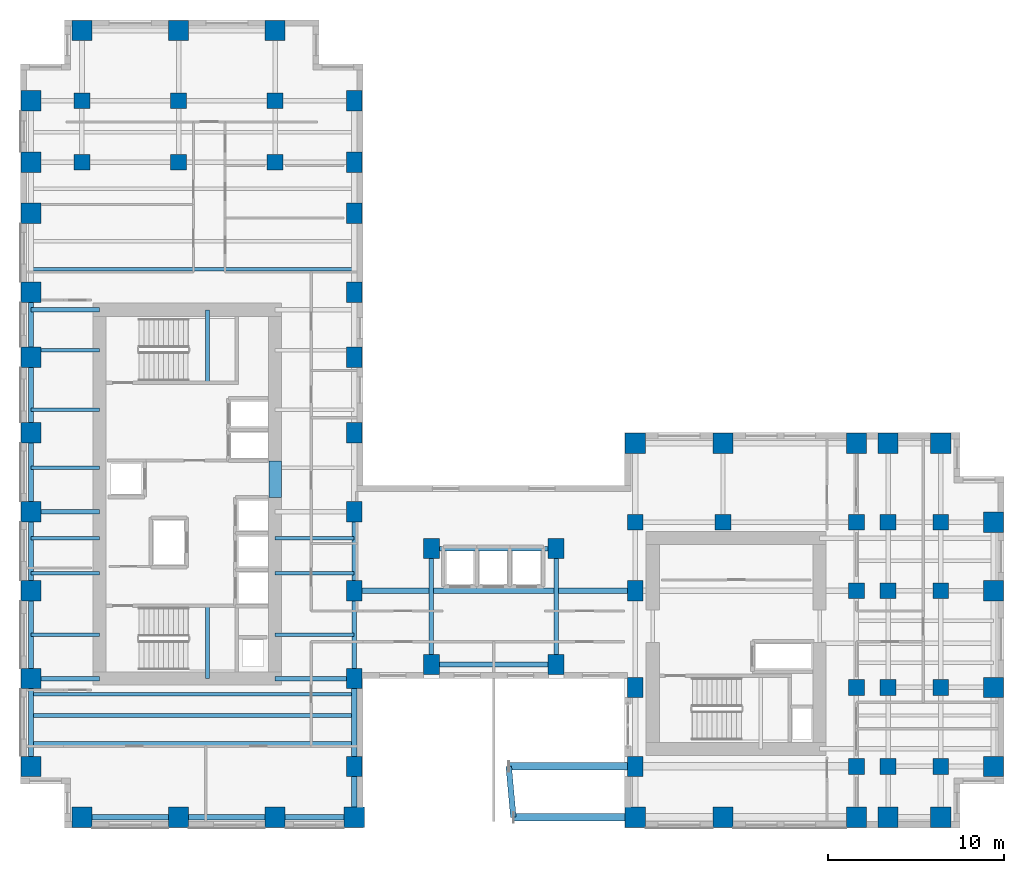
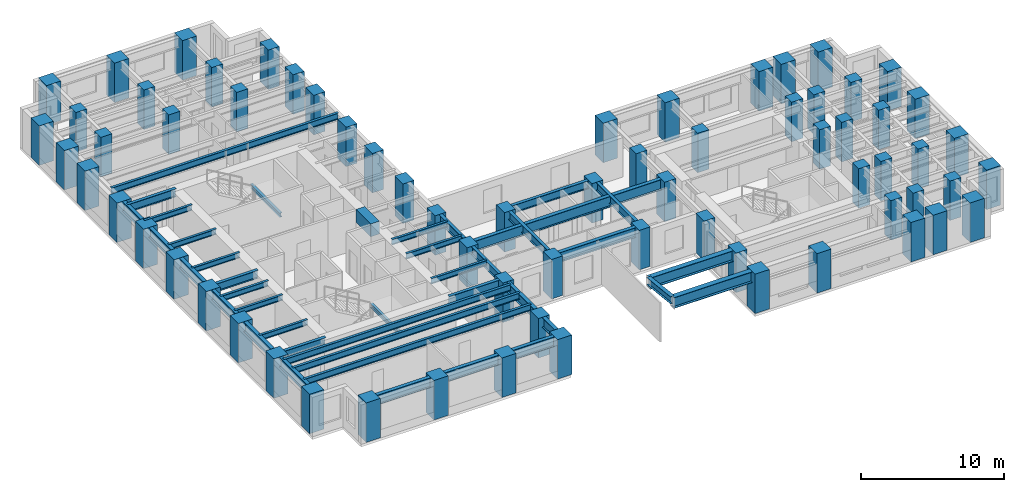
# One storey, part 1 of 14: 68 columns, 41 beams.
"""IFC4 building model written with IfcOpenShell, lengths in metres."""

import ifcopenshell
import ifcopenshell.guid

model = None  # the IFC model being written
_history = None  # IfcOwnerHistory: only IFC2X3 demands one
_inside = {}  # id of a spatial element -> (the spatial element, [elements in it])
_under = {}  # id of a project, library or spatial element -> (it, [spatial elements below it])
_declared = {}  # id of a project -> (the project, [libraries it declares])
_typed = {}  # id of a type object -> (the type object, [elements of that type])
_made_of = {}  # id of a material, layer set ... -> (it, [elements and type objects made of it])


def new_model(schema):
    """Start an empty IFC model of exactly this schema.

    Asked for "IFC4X3", IfcOpenShell would pick the latest addendum, in which some entities
    have other attributes; the version numbers below select the first issue.
    IFC2X3 requires an IfcOwnerHistory on every rooted entity: one is made here for all.
    """
    global model, _history
    if schema == "IFC4X3":
        model = ifcopenshell.file(schema_version=(4, 3, 0, 0))
    else:
        model = ifcopenshell.file(schema=schema)
    _inside.clear()
    _under.clear()
    _declared.clear()
    _typed.clear()
    _made_of.clear()
    _history = None
    if model.schema == "IFC2X3":
        org = make("IfcOrganization", Name="unknown")
        user = make(
            "IfcPersonAndOrganization",
            ThePerson=make("IfcPerson", FamilyName="unknown"),
            TheOrganization=org,
        )
        app = make(
            "IfcApplication",
            ApplicationDeveloper=org,
            Version="unknown",
            ApplicationFullName="unknown",
            ApplicationIdentifier="unknown",
        )
        _history = make(
            "IfcOwnerHistory",
            OwningUser=user,
            OwningApplication=app,
            ChangeAction="ADDED",
            CreationDate=0,
        )
    return model


def make(cls, **values):
    """One entity of the class cls with the attributes given. An attribute that is None is left unset."""
    return model.create_entity(
        cls, **{name: value for name, value in values.items() if value is not None}
    )


def rooted(cls, **values):
    """An entity with a GlobalId (a new one), such as an element, a storey or a relation."""
    return make(cls, GlobalId=ifcopenshell.guid.new(), OwnerHistory=_history, **values)


def si_unit(unit_type, name, prefix=None):
    """IfcSIUnit, for example si_unit("LENGTHUNIT", "METRE", prefix="MILLI")."""
    return make("IfcSIUnit", UnitType=unit_type, Prefix=prefix, Name=name)


def assignment(units):
    """IfcUnitAssignment: the units of a project."""
    return None if units is None else make("IfcUnitAssignment", Units=units)


def point(xyz):
    """IfcCartesianPoint."""
    return None if xyz is None else make("IfcCartesianPoint", Coordinates=xyz)


def direction(xyz):
    """IfcDirection."""
    return None if xyz is None else make("IfcDirection", DirectionRatios=xyz)


def frame(location, z_axis=None, x_axis=None):
    """IfcAxis2Placement3D, a coordinate frame: its origin and axes. An axis left out is left unset."""
    return make(
        "IfcAxis2Placement3D",
        Location=point(location),
        Axis=direction(z_axis),
        RefDirection=direction(x_axis),
    )


def frame_2d(location, x_axis=None):
    """IfcAxis2Placement2D, a coordinate frame in the plane: its origin and x axis."""
    return make(
        "IfcAxis2Placement2D", Location=point(location), RefDirection=direction(x_axis)
    )


def origin():
    """The frame at (0, 0, 0) with its axes left unset."""
    return frame((0.0, 0.0, 0.0))


def origin_2d():
    """The frame at (0, 0) in the plane with its x axis left unset."""
    return frame_2d((0.0, 0.0))


def place(relative_to, where):
    """IfcLocalPlacement: puts the frame where relative to a parent placement (None: the world)."""
    return make(
        "IfcLocalPlacement", PlacementRelTo=relative_to, RelativePlacement=where
    )


def context(
    kind, dimensions, precision=None, world=None, true_north=None, identifier=None
):
    """IfcGeometricRepresentationContext, for example the 3D "Model" context."""
    return make(
        "IfcGeometricRepresentationContext",
        ContextIdentifier=identifier,
        ContextType=kind,
        CoordinateSpaceDimension=dimensions,
        Precision=precision,
        WorldCoordinateSystem=world,
        TrueNorth=true_north,
    )


def subcontext(parent, identifier, kind, view, scale=None):
    """IfcGeometricRepresentationSubContext, for example "Body" below "Model"."""
    return make(
        "IfcGeometricRepresentationSubContext",
        ContextIdentifier=identifier,
        ContextType=kind,
        ParentContext=parent,
        TargetScale=scale,
        TargetView=view,
    )


def project(units=None, contexts=None):
    """IfcProject with its units and contexts."""
    return rooted(
        "IfcProject",
        Name="project",
        RepresentationContexts=contexts,
        UnitsInContext=assignment(units),
    )


def spatial(cls, under=None, at=None, **own):
    """A site, building, storey or space (cls), placed at a placement, below another one or the project."""
    s = rooted(cls, ObjectPlacement=at, **own)
    if under is not None:
        _under.setdefault(under.id(), (under, []))[1].append(s)
    return s


def profile(cls, at=None, kind="AREA", **sizes):
    """A parametric profile (cls). Its sizes go by their IFC names, for example OverallWidth=200.0."""
    return make(cls, ProfileType=kind, Position=at, **sizes)


def rectangle(**sizes):
    """IfcRectangleProfileDef."""
    return profile("IfcRectangleProfileDef", **sizes)


def i_section(**sizes):
    """IfcIShapeProfileDef."""
    return profile("IfcIShapeProfileDef", **sizes)


def extrude(swept, where, along, depth):
    """IfcExtrudedAreaSolid: the profile swept, set in the frame where, extruded along a direction by depth."""
    return make(
        "IfcExtrudedAreaSolid",
        SweptArea=swept,
        Position=where,
        ExtrudedDirection=direction(along),
        Depth=depth,
    )


def shape(context_of_items, identifier, shape_type, items):
    """IfcShapeRepresentation: the items that make up one representation, for example the "Body"."""
    return make(
        "IfcShapeRepresentation",
        ContextOfItems=context_of_items,
        RepresentationIdentifier=identifier,
        RepresentationType=shape_type,
        Items=items,
    )


def source(mapping_origin, context_of_items, identifier, shape_type, items):
    """IfcRepresentationMap: a shape defined once, which mapped items show again and again."""
    return make(
        "IfcRepresentationMap",
        MappingOrigin=mapping_origin,
        MappedRepresentation=shape(context_of_items, identifier, shape_type, items),
    )


def transform(
    local_origin,
    x_axis=None,
    y_axis=None,
    z_axis=None,
    scale=None,
    scale2=None,
    scale3=None,
    uniform=True,
):
    """IfcCartesianTransformationOperator3D, or its non-uniform kind. x_axis, y_axis, z_axis: its Axis1, 2, 3."""
    if uniform:
        return make(
            "IfcCartesianTransformationOperator3D",
            Axis1=direction(x_axis),
            Axis2=direction(y_axis),
            LocalOrigin=point(local_origin),
            Scale=scale,
            Axis3=direction(z_axis),
        )
    return make(
        "IfcCartesianTransformationOperator3DnonUniform",
        Axis1=direction(x_axis),
        Axis2=direction(y_axis),
        LocalOrigin=point(local_origin),
        Scale=scale,
        Axis3=direction(z_axis),
        Scale2=scale2,
        Scale3=scale3,
    )


def mapped(mapping_source, mapping_target):
    """IfcMappedItem: shows the shape of a source again, moved by a transform."""
    return make(
        "IfcMappedItem", MappingSource=mapping_source, MappingTarget=mapping_target
    )


def material(Name=None, Category=None):
    """IfcMaterial."""
    return make("IfcMaterial", Name=Name, Category=Category)


def material_profile(
    of_material, cross_section, Name=None, Category=None, Priority=None
):
    """IfcMaterialProfile: a cross section and its material."""
    return make(
        "IfcMaterialProfile",
        Name=Name,
        Material=of_material,
        Profile=cross_section,
        Priority=Priority,
        Category=Category,
    )


def profile_set(profiles, Name=None, composite=None):
    """IfcMaterialProfileSet."""
    return make(
        "IfcMaterialProfileSet",
        Name=Name,
        MaterialProfiles=profiles,
        CompositeProfile=composite,
    )


def made_of(thing, what):
    """Note that an element or type object is made of a material, layer set ...; save() writes the relation."""
    if what is not None:
        _made_of.setdefault(what.id(), (what, []))[1].append(thing)
    return thing


def type_object(cls, material=None, **own):
    """A type object (cls), such as IfcWallType, which elements share."""
    return made_of(rooted(cls, **own), material)


def element(
    cls,
    number,
    at=None,
    inside=None,
    cuts=None,
    type_object=None,
    material=None,
    context=None,
    identifier="Body",
    shape_type=None,
    held_by="IfcProductDefinitionShape",
    body=None,
    shapes=None,
    **own,
):
    """One element of the class cls, such as IfcWall. Its Tag is "e" and its number.

    at: its placement. inside: the storey or other place that contains it. cuts: it is an
    opening in that element (IfcRelVoidsElement). A single representation is given by context,
    identifier, shape_type and body (its items); several are given by shapes. held_by: the class
    of the entity that holds the representations. save() writes the other relations.
    """
    e = rooted(cls, Tag="e%d" % number, ObjectPlacement=at, **own)
    if body is not None:
        shapes = [shape(context, identifier, shape_type, body)]
    if shapes is not None:
        e.Representation = make(held_by, Representations=shapes)
    if inside is not None:
        _inside.setdefault(inside.id(), (inside, []))[1].append(e)
    if cuts is not None:
        rooted(
            "IfcRelVoidsElement", RelatingBuildingElement=cuts, RelatedOpeningElement=e
        )
    if type_object is not None:
        _typed.setdefault(type_object.id(), (type_object, []))[1].append(e)
    return made_of(e, material)


def aggregate(whole, parts):
    """IfcRelAggregates: a whole, such as a stair, and the parts it consists of."""
    return rooted("IfcRelAggregates", RelatingObject=whole, RelatedObjects=parts)


def save(model, path):
    """Write the relations noted so far, then the file.

    IfcRelAggregates (storeys below a building ...), IfcRelContainedInSpatialStructure (elements
    in a storey), IfcRelDefinesByType, IfcRelAssociatesMaterial and IfcRelDeclares: one each for
    every whole, place, type object, material and project.
    """
    for whole, parts in _under.values():
        aggregate(whole, parts)
    for where, things in _inside.values():
        rooted(
            "IfcRelContainedInSpatialStructure",
            RelatedElements=things,
            RelatingStructure=where,
        )
    for kind, things in _typed.values():
        rooted("IfcRelDefinesByType", RelatedObjects=things, RelatingType=kind)
    for what, things in _made_of.values():
        rooted("IfcRelAssociatesMaterial", RelatedObjects=things, RelatingMaterial=what)
    for by, libraries in _declared.values():
        rooted("IfcRelDeclares", RelatingContext=by, RelatedDefinitions=libraries)
    model.write(path)


model = new_model("IFC4")

# Units and contexts
model_context = context("Model", 3, precision=1e-05, world=origin(), true_north=direction((0.0, 1.0)))
body_context = subcontext(model_context, "Body", "Model", "MODEL_VIEW")
ifc_project = project(units=[si_unit("LENGTHUNIT", "METRE"), si_unit("AREAUNIT", "SQUARE_METRE"), si_unit("VOLUMEUNIT", "CUBIC_METRE"), si_unit("PLANEANGLEUNIT", "RADIAN"), si_unit("MASSUNIT", "GRAM", prefix="KILO")], contexts=[model_context])

# Site, building, storey
site_placement = place(None, origin())
site = spatial("IfcSite", under=ifc_project, at=site_placement, CompositionType="ELEMENT")
building_placement = place(site_placement, origin())
building = spatial("IfcBuilding", under=site, at=building_placement, Name="Kharzan Plaza Tower", CompositionType="ELEMENT")
storey_placement = place(building_placement, frame((0.0, 0.0, 102.60009765625)))
storey = spatial("IfcBuildingStorey", under=building, at=storey_placement, Name="L27", CompositionType="ELEMENT", Elevation=102.60009765625)

# Columns
ifc_material_1 = material(Name="Concrete C50/60", Category="concrete")
ifc_material_profile_1 = material_profile(ifc_material_1, rectangle(XDim=0.89990234375, YDim=0.89990234375, at=origin_2d()), Name="RC-IC900x900")
ifc_profile_set_1 = profile_set([ifc_material_profile_1], Name="Concrete C50/60")
column_type_1 = type_object("IfcColumnType", Name="COL-IC900", PredefinedType="COLUMN", material=ifc_profile_set_1)
shared_shape_1 = source(origin(), body_context, "Body", "SweptSolid", [
    extrude(rectangle(XDim=0.89990234375, YDim=0.89990234375, at=origin_2d()), origin(), (0.0, 0.0, 1.0), 3.3798828125),
])
for number, where, z_axis, x_axis, name in (
    (1, (47.60009765625, 13.5, 0.0), (0.0, 0.0, 1.0), (1.0, 0.0, 0.0), "L27 Structural Column TCBI-135"),
    (2, (47.60009765625, 3.5, 0.0), (0.0, 0.0, 1.0), (1.0, 0.0, 0.0), "L27 Structural Column TCBI-35"),
    (3, (47.60009765625, 8.0, 0.0), (0.0, 0.0, 1.0), (1.0, 0.0, 0.0), "L27 Structural Column TCBI-80"),
    (4, (35.0, 17.39990234375, 0.0), (0.0, 0.0, 1.0), (1.0, 0.0, 0.0), "L27 Structural Column TCBN-350-174"),
    (5, (40.0, 17.39990234375, 0.0), (0.0, 0.0, 1.0), (1.0, 0.0, 0.0), "L27 Structural Column TCBN-400-174"),
    (6, (47.60009765625, 17.39990234375, 0.0), (0.0, 0.0, 1.0), (1.0, 0.0, 0.0), "L27 Structural Column TCBN-476-174"),
    (7, (49.39990234375, 13.5, 0.0), (0.0, 0.0, 1.0), (1.0, 0.0, 0.0), "L27 Structural Column TCE-494-135"),
    (8, (49.39990234375, 17.39990234375, 0.0), (0.0, 0.0, 1.0), (1.0, 0.0, 0.0), "L27 Structural Column TCE-494-174"),
    (9, (49.39990234375, 3.5, 0.0), (0.0, 0.0, 1.0), (1.0, 0.0, 0.0), "L27 Structural Column TCE-494-35"),
    (10, (49.39990234375, 8.0, 0.0), (0.0, 0.0, 1.0), (1.0, 0.0, 0.0), "L27 Structural Column TCE-494-80"),
    (11, (52.39990234375, 13.5, 0.0), (0.0, 0.0, 1.0), (1.0, 0.0, 0.0), "L27 Structural Column TCE-524-135"),
    (12, (52.39990234375, 17.39990234375, 0.0), (0.0, 0.0, 1.0), (1.0, 0.0, 0.0), "L27 Structural Column TCE-524-174"),
    (13, (52.39990234375, 3.5, 0.0), (0.0, 0.0, 1.0), (1.0, 0.0, 0.0), "L27 Structural Column TCE-524-35"),
    (14, (52.39990234375, 8.0, 0.0), (0.0, 0.0, 1.0), (1.0, 0.0, 0.0), "L27 Structural Column TCE-524-80"),
    (15, (14.5, 37.89990234375, 0.0), (0.0, 0.0, 1.0), (1.0, 0.0, 0.0), "L27 Structural Column TCN-145-379"),
    (16, (14.5, 41.39990234375, 0.0), (0.0, 0.0, 1.0), (1.0, 0.0, 0.0), "L27 Structural Column TCN-145-414"),
    (17, (3.5, 37.89990234375, 0.0), (0.0, 0.0, 1.0), (1.0, 0.0, 0.0), "L27 Structural Column TCN-35-379"),
    (18, (3.5, 41.39990234375, 0.0), (0.0, 0.0, 1.0), (1.0, 0.0, 0.0), "L27 Structural Column TCN-35-414"),
    (19, (9.0, 37.89990234375, 0.0), (0.0, 0.0, 1.0), (1.0, 0.0, 0.0), "L27 Structural Column TCN-90-379"),
    (20, (9.0, 41.39990234375, 0.0), (0.0, 0.0, 1.0), (1.0, 0.0, 0.0), "L27 Structural Column TCN-90-414"),
):
    element("IfcColumn", number, at=place(storey_placement, frame(where, z_axis=z_axis, x_axis=x_axis)), inside=storey, type_object=column_type_1, Name=name, PredefinedType="COLUMN", context=body_context, shape_type="MappedRepresentation", body=[
        mapped(shared_shape_1, transform((0.0, 0.0, 0.0), x_axis=(1.0, 0.0, 0.0), y_axis=(0.0, 1.0, 0.0), z_axis=(0.0, 0.0, 1.0))),
    ])
ifc_material_2 = material(Name="Concrete C60/75", Category="concrete")
ifc_material_profile_2 = material_profile(ifc_material_2, rectangle(XDim=0.89990234375, YDim=1.14990234375, at=origin_2d()), Name="RC-SC1150x900")
ifc_profile_set_2 = profile_set([ifc_material_profile_2], Name="Concrete C60/75")
column_type_2 = type_object("IfcColumnType", Name="COL-SC1150", PredefinedType="COLUMN", material=ifc_profile_set_2)
shared_shape_2 = source(origin(), body_context, "Body", "SweptSolid", [
    extrude(rectangle(XDim=0.89990234375, YDim=1.14990234375, at=origin_2d()), origin(), (0.0, 0.0, 1.0), 3.3798828125),
])
for number, where, z_axis, x_axis, name in (
    (21, (19.0, 13.5, 0.0), (0.0, 0.0, 1.0), (1.0, 0.0, 0.0), "L27 Structural Column TCA-135"),
    (22, (19.0, 18.0, 0.0), (0.0, 0.0, 1.0), (1.0, 0.0, 0.0), "L27 Structural Column TCA-180"),
    (23, (19.0, 22.5, 0.0), (0.0, 0.0, 1.0), (1.0, 0.0, 0.0), "L27 Structural Column TCA-225"),
    (24, (19.0, 26.800048828125, 0.0), (0.0, 0.0, 1.0), (1.0, 0.0, 0.0), "L27 Structural Column TCA-268"),
    (25, (19.0, 30.5, 0.0), (0.0, 0.0, 1.0), (1.0, 0.0, 0.0), "L27 Structural Column TCA-305"),
    (26, (19.0, 3.5, 0.0), (0.0, 0.0, 1.0), (1.0, 0.0, 0.0), "L27 Structural Column TCA-35"),
    (27, (19.0, 35.0, 0.0), (0.0, 0.0, 1.0), (1.0, 0.0, 0.0), "L27 Structural Column TCA-350"),
    (28, (19.0, 37.89990234375, 0.0), (0.0, 0.0, 1.0), (1.0, 0.0, 0.0), "L27 Structural Column TCA-379"),
    (29, (19.0, 41.39990234375, 0.0), (0.0, 0.0, 1.0), (1.0, 0.0, 0.0), "L27 Structural Column TCA-414"),
    (30, (19.0, 8.5, 0.0), (0.0, 0.0, 1.0), (1.0, 0.0, 0.0), "L27 Structural Column TCA-85"),
    (31, (35.0, 13.5, 0.0), (0.0, 0.0, 1.0), (1.0, 0.0, 0.0), "L27 Structural Column TCBS-135"),
    (32, (35.0, 3.5, 0.0), (0.0, 0.0, 1.0), (1.0, 0.0, 0.0), "L27 Structural Column TCBS-35"),
    (33, (35.0, 8.0, 0.0), (0.0, 0.0, 1.0), (1.0, 0.0, 0.0), "L27 Structural Column TCBS-80"),
    (34, (23.39990234375, 15.89990234375, 0.0), (0.0, 0.0, 1.0), (1.0, 0.0, 0.0), "L27 Structural Column TCSP-234-159"),
    (35, (23.39990234375, 9.300048828125, 0.0), (0.0, 0.0, 1.0), (1.0, 0.0, 0.0), "L27 Structural Column TCSP-234-93"),
    (36, (30.5, 15.89990234375, 0.0), (0.0, 0.0, 1.0), (1.0, 0.0, 0.0), "L27 Structural Column TCSP-305-159"),
    (37, (30.5, 9.300048828125, 0.0), (0.0, 0.0, 1.0), (1.0, 0.0, 0.0), "L27 Structural Column TCSP-305-93"),
):
    element("IfcColumn", number, at=place(storey_placement, frame(where, z_axis=z_axis, x_axis=x_axis)), inside=storey, type_object=column_type_2, Name=name, PredefinedType="COLUMN", context=body_context, shape_type="MappedRepresentation", body=[
        mapped(shared_shape_2, transform((0.0, 0.0, 0.0), x_axis=(1.0, 0.0, 0.0), y_axis=(0.0, 1.0, 0.0), z_axis=(0.0, 0.0, 1.0))),
    ])
ifc_material_profile_3 = material_profile(ifc_material_2, rectangle(XDim=1.14990234375, YDim=1.14990234375, at=origin_2d()), Name="RC-TC1150x1150")
ifc_profile_set_3 = profile_set([ifc_material_profile_3], Name="Concrete C60/75")
column_type_3 = type_object("IfcColumnType", Name="COL-TC1150", PredefinedType="COLUMN", material=ifc_profile_set_3)
shared_shape_3 = source(origin(), body_context, "Body", "SweptSolid", [
    extrude(rectangle(XDim=1.14990234375, YDim=1.14990234375, at=origin_2d()), origin(), (0.0, 0.0, 1.0), 3.3798828125),
])
for number, where, z_axis, x_axis, name in (
    (38, (35.0, 21.89990234375, 0.0), (0.0, 0.0, 1.0), (1.0, 0.0, 0.0), "L27 Structural Column TCBN-350-219"),
    (39, (40.0, 21.89990234375, 0.0), (0.0, 0.0, 1.0), (1.0, 0.0, 0.0), "L27 Structural Column TCBN-400-219"),
    (40, (47.60009765625, 21.89990234375, 0.0), (0.0, 0.0, 1.0), (1.0, 0.0, 0.0), "L27 Structural Column TCBN-476-219"),
    (41, (49.39990234375, 21.89990234375, 0.0), (0.0, 0.0, 1.0), (1.0, 0.0, 0.0), "L27 Structural Column TCBN-494-219"),
    (42, (52.39990234375, 21.89990234375, 0.0), (0.0, 0.0, 1.0), (1.0, 0.0, 0.0), "L27 Structural Column TCBN-524-219"),
    (43, (55.39990234375, 13.5, 0.0), (0.0, 0.0, 1.0), (1.0, 0.0, 0.0), "L27 Structural Column TCE-554-135"),
    (44, (55.39990234375, 17.39990234375, 0.0), (0.0, 0.0, 1.0), (1.0, 0.0, 0.0), "L27 Structural Column TCE-554-174"),
    (45, (55.39990234375, 3.5, 0.0), (0.0, 0.0, 1.0), (1.0, 0.0, 0.0), "L27 Structural Column TCE-554-35"),
    (46, (55.39990234375, 8.0, 0.0), (0.0, 0.0, 1.0), (1.0, 0.0, 0.0), "L27 Structural Column TCE-554-80"),
    (47, (14.5, 45.39990234375, 0.0), (0.0, 0.0, 1.0), (1.0, 0.0, 0.0), "L27 Structural Column TCN-145-454"),
    (48, (3.5, 45.39990234375, 0.0), (0.0, 0.0, 1.0), (1.0, 0.0, 0.0), "L27 Structural Column TCN-35-454"),
    (49, (9.0, 45.39990234375, 0.0), (0.0, 0.0, 1.0), (1.0, 0.0, 0.0), "L27 Structural Column TCN-90-454"),
    (50, (14.5, 0.60009765625, 0.0), (0.0, 0.0, 1.0), (1.0, 0.0, 0.0), "L27 Structural Column TCS-145"),
    (51, (19.0, 0.60009765625, 0.0), (0.0, 0.0, 1.0), (1.0, 0.0, 0.0), "L27 Structural Column TCS-190"),
    (52, (3.5, 0.60009765625, 0.0), (0.0, 0.0, 1.0), (1.0, 0.0, 0.0), "L27 Structural Column TCS-35"),
    (53, (35.0, 0.60009765625, 0.0), (0.0, 0.0, 1.0), (1.0, 0.0, 0.0), "L27 Structural Column TCS-350"),
    (54, (40.0, 0.60009765625, 0.0), (0.0, 0.0, 1.0), (1.0, 0.0, 0.0), "L27 Structural Column TCS-400"),
    (55, (47.60009765625, 0.60009765625, 0.0), (0.0, 0.0, 1.0), (1.0, 0.0, 0.0), "L27 Structural Column TCS-476"),
    (56, (49.39990234375, 0.60009765625, 0.0), (0.0, 0.0, 1.0), (1.0, 0.0, 0.0), "L27 Structural Column TCS-494"),
    (57, (52.39990234375, 0.60009765625, 0.0), (0.0, 0.0, 1.0), (1.0, 0.0, 0.0), "L27 Structural Column TCS-524"),
    (58, (9.0, 0.60009765625, 0.0), (0.0, 0.0, 1.0), (1.0, 0.0, 0.0), "L27 Structural Column TCS-90"),
    (59, (0.60009765625, 13.5, 0.0), (0.0, 0.0, 1.0), (1.0, 0.0, 0.0), "L27 Structural Column TCW-135"),
    (60, (0.60009765625, 18.0, 0.0), (0.0, 0.0, 1.0), (1.0, 0.0, 0.0), "L27 Structural Column TCW-180"),
    (61, (0.60009765625, 22.5, 0.0), (0.0, 0.0, 1.0), (1.0, 0.0, 0.0), "L27 Structural Column TCW-225"),
    (62, (0.60009765625, 26.800048828125, 0.0), (0.0, 0.0, 1.0), (1.0, 0.0, 0.0), "L27 Structural Column TCW-268"),
    (63, (0.60009765625, 30.5, 0.0), (0.0, 0.0, 1.0), (1.0, 0.0, 0.0), "L27 Structural Column TCW-305"),
    (64, (0.60009765625, 3.5, 0.0), (0.0, 0.0, 1.0), (1.0, 0.0, 0.0), "L27 Structural Column TCW-35"),
    (65, (0.60009765625, 35.0, 0.0), (0.0, 0.0, 1.0), (1.0, 0.0, 0.0), "L27 Structural Column TCW-350"),
    (66, (0.60009765625, 37.89990234375, 0.0), (0.0, 0.0, 1.0), (1.0, 0.0, 0.0), "L27 Structural Column TCW-379"),
    (67, (0.60009765625, 41.39990234375, 0.0), (0.0, 0.0, 1.0), (1.0, 0.0, 0.0), "L27 Structural Column TCW-414"),
    (68, (0.60009765625, 8.5, 0.0), (0.0, 0.0, 1.0), (1.0, 0.0, 0.0), "L27 Structural Column TCW-85"),
):
    element("IfcColumn", number, at=place(storey_placement, frame(where, z_axis=z_axis, x_axis=x_axis)), inside=storey, type_object=column_type_3, Name=name, PredefinedType="COLUMN", context=body_context, shape_type="MappedRepresentation", body=[
        mapped(shared_shape_3, transform((0.0, 0.0, 0.0), x_axis=(1.0, 0.0, 0.0), y_axis=(0.0, 1.0, 0.0), z_axis=(0.0, 0.0, 1.0))),
    ])

# Beams
ifc_material_profile_4 = material_profile(ifc_material_2, rectangle(XDim=0.699951171875, YDim=1.10009765625, at=origin_2d()), Name="RC-CB1100x700")
ifc_profile_set_4 = profile_set([ifc_material_profile_4], Name="Concrete C60/75")
beam_type_1 = type_object("IfcBeamType", Name="BM-RCCB1100", PredefinedType="LINTEL", material=ifc_profile_set_4)
shared_shape_4 = source(origin(), body_context, "Body", "SweptSolid", [
    extrude(rectangle(XDim=0.699951171875, YDim=1.10009765625, at=origin_2d()), origin(), (0.0, 0.0, 1.0), 2.059814453125),
])
beam_1_placement = place(storey_placement, frame((14.5, 18.820068359375, 2.829833984375), z_axis=(0.0, 1.0, 0.0), x_axis=(-1.0, 0.0, 0.0)))
element("IfcBeam", 69, at=beam_1_placement, inside=storey, type_object=beam_type_1, Name="L27 CORE-A RC coupling beam CB1", PredefinedType="LINTEL", context=body_context, shape_type="MappedRepresentation", body=[
    mapped(shared_shape_4, transform((0.0, 0.0, 0.0), x_axis=(1.0, 0.0, 0.0), y_axis=(0.0, 1.0, 0.0), z_axis=(0.0, 0.0, 1.0))),
])
ifc_material_3 = material(Name="Steel S355", Category="steel")
ifc_material_profile_5 = material_profile(ifc_material_3, i_section(OverallWidth=0.205078125, OverallDepth=0.35400390625, WebThickness=0.009521484375, FlangeThickness=0.016845703125, at=origin_2d()), Name="W360x79")
ifc_profile_set_5 = profile_set([ifc_material_profile_5], Name="Steel S355")
beam_type_2 = type_object("IfcBeamType", Name="BM-LNT360", PredefinedType="LINTEL", material=ifc_profile_set_5)
shared_shape_5 = source(origin(), body_context, "Body", "SweptSolid", [
    extrude(i_section(OverallWidth=0.205078125, OverallDepth=0.35400390625, WebThickness=0.009521484375, FlangeThickness=0.016845703125, at=origin_2d()), origin(), (0.0, 0.0, 1.0), 4.155029296875),
])
for number, where, z_axis, x_axis, name in (
    (70, (10.64990234375, 8.5, 1.4228515625), (0.0, 1.0, 0.0), (-1.0, 0.0, 0.0), "L27 Stair ST-1 Half-Landing Beam"),
    (71, (10.64990234375, 25.344970703125, 1.4228515625), (0.0, 1.0, 0.0), (-1.0, 0.0, 0.0), "L27 Stair ST-2 Half-Landing Beam"),
):
    element("IfcBeam", number, at=place(storey_placement, frame(where, z_axis=z_axis, x_axis=x_axis)), inside=storey, type_object=beam_type_2, Name=name, PredefinedType="LINTEL", context=body_context, shape_type="MappedRepresentation", body=[
        mapped(shared_shape_5, transform((0.0, 0.0, 0.0), x_axis=(1.0, 0.0, 0.0), y_axis=(0.0, 1.0, 0.0), z_axis=(0.0, 0.0, 1.0))),
    ])
ifc_material_profile_6 = material_profile(ifc_material_3, i_section(OverallWidth=0.304931640625, OverallDepth=0.9189453125, WebThickness=0.017333984375, FlangeThickness=0.02783203125, at=origin_2d()), Name="W920x253")
ifc_profile_set_6 = profile_set([ifc_material_profile_6], Name="Steel S355")
beam_type_3 = type_object("IfcBeamType", Name="BM-FG920B", PredefinedType="BEAM", material=ifc_profile_set_6)
shared_shape_6 = source(origin(), body_context, "Body", "SweptSolid", [
    extrude(i_section(OverallWidth=0.304931640625, OverallDepth=0.9189453125, WebThickness=0.017333984375, FlangeThickness=0.02783203125, at=origin_2d()), origin(), (0.0, 0.0, 1.0), 16.0),
])
beam_2_placement = place(storey_placement, frame((19.0, 13.5, 2.92041015625), z_axis=(1.0, 0.0, 0.0), x_axis=(0.0, 1.0, 0.0)))
element("IfcBeam", 72, at=beam_2_placement, inside=storey, type_object=beam_type_3, Name="L27 Primary Floor Girder", PredefinedType="BEAM", context=body_context, shape_type="MappedRepresentation", body=[
    mapped(shared_shape_6, transform((0.0, 0.0, 0.0), x_axis=(1.0, 0.0, 0.0), y_axis=(0.0, 1.0, 0.0), z_axis=(0.0, 0.0, 1.0))),
])
ifc_material_profile_7 = material_profile(ifc_material_3, i_section(OverallWidth=0.2099609375, OverallDepth=0.537109375, WebThickness=0.010986328125, FlangeThickness=0.017333984375, at=origin_2d()), Name="W530x101")
ifc_profile_set_7 = profile_set([ifc_material_profile_7], Name="Steel S355")
beam_type_4 = type_object("IfcBeamType", Name="BM-JST530B", PredefinedType="JOIST", material=ifc_profile_set_7)
shared_shape_7 = source(origin(), body_context, "Body", "SweptSolid", [
    extrude(i_section(OverallWidth=0.2099609375, OverallDepth=0.537109375, WebThickness=0.010986328125, FlangeThickness=0.017333984375, at=origin_2d()), origin(), (0.0, 0.0, 1.0), 18.39990234375),
])
for number, where, z_axis, x_axis, name in (
    (73, (0.60009765625, 4.800048828125, 3.111328125), (1.0, 0.0, 0.0), (0.0, 1.0, 0.0), "L27 Wing A Composite Joist 01"),
    (74, (0.60009765625, 6.39990234375, 3.111328125), (1.0, 0.0, 0.0), (0.0, 1.0, 0.0), "L27 Wing A Composite Joist 02"),
    (75, (0.60009765625, 7.60009765625, 3.111328125), (1.0, 0.0, 0.0), (0.0, 1.0, 0.0), "L27 Wing A Composite Joist 03"),
    (76, (0.60009765625, 31.800048828125, 3.111328125), (1.0, 0.0, 0.0), (0.0, 1.0, 0.0), "L27 Wing A Composite Joist 04"),
):
    element("IfcBeam", number, at=place(storey_placement, frame(where, z_axis=z_axis, x_axis=x_axis)), inside=storey, type_object=beam_type_4, Name=name, PredefinedType="JOIST", context=body_context, shape_type="MappedRepresentation", body=[
        mapped(shared_shape_7, transform((0.0, 0.0, 0.0), x_axis=(1.0, 0.0, 0.0), y_axis=(0.0, 1.0, 0.0), z_axis=(0.0, 0.0, 1.0))),
    ])
ifc_material_profile_8 = material_profile(ifc_material_3, i_section(OverallWidth=0.194091796875, OverallDepth=0.468994140625, WebThickness=0.011474609375, FlangeThickness=0.0205078125, at=origin_2d()), Name="W460x106")
ifc_profile_set_8 = profile_set([ifc_material_profile_8], Name="Steel S355")
beam_type_5 = type_object("IfcBeamType", Name="BM-JST460", PredefinedType="JOIST", material=ifc_profile_set_8)
shared_shape_8 = source(origin(), body_context, "Body", "SweptSolid", [
    extrude(i_section(OverallWidth=0.194091796875, OverallDepth=0.468994140625, WebThickness=0.011474609375, FlangeThickness=0.0205078125, at=origin_2d()), origin(), (0.0, 0.0, 1.0), 4.5),
])
for number, where, z_axis, x_axis, name in (
    (77, (14.5, 11.0, 3.1455078125), (1.0, 0.0, 0.0), (0.0, 1.0, 0.0), "L27 Wing A East Infill Joist 1"),
    (78, (14.5, 14.5, 3.1455078125), (1.0, 0.0, 0.0), (0.0, 1.0, 0.0), "L27 Wing A East Infill Joist 2"),
    (79, (14.5, 16.5, 3.1455078125), (1.0, 0.0, 0.0), (0.0, 1.0, 0.0), "L27 Wing A East Infill Joist 3"),
):
    element("IfcBeam", number, at=place(storey_placement, frame(where, z_axis=z_axis, x_axis=x_axis)), inside=storey, type_object=beam_type_5, Name=name, PredefinedType="JOIST", context=body_context, shape_type="MappedRepresentation", body=[
        mapped(shared_shape_8, transform((0.0, 0.0, 0.0), x_axis=(1.0, 0.0, 0.0), y_axis=(0.0, 1.0, 0.0), z_axis=(0.0, 0.0, 1.0))),
    ])
shared_shape_9 = source(origin(), body_context, "Body", "SweptSolid", [
    extrude(i_section(OverallWidth=0.194091796875, OverallDepth=0.468994140625, WebThickness=0.011474609375, FlangeThickness=0.0205078125, at=origin_2d()), origin(), (0.0, 0.0, 1.0), 3.89990234375),
])
for number, where, z_axis, x_axis, name in (
    (80, (0.60009765625, 11.0, 3.1455078125), (1.0, 0.0, 0.0), (0.0, 1.0, 0.0), "L27 Wing A West Infill Joist 1"),
    (81, (0.60009765625, 14.5, 3.1455078125), (1.0, 0.0, 0.0), (0.0, 1.0, 0.0), "L27 Wing A West Infill Joist 2"),
    (82, (0.60009765625, 16.5, 3.1455078125), (1.0, 0.0, 0.0), (0.0, 1.0, 0.0), "L27 Wing A West Infill Joist 3"),
    (83, (0.60009765625, 20.5, 3.1455078125), (1.0, 0.0, 0.0), (0.0, 1.0, 0.0), "L27 Wing A West Infill Joist 4"),
    (84, (0.60009765625, 23.800048828125, 3.1455078125), (1.0, 0.0, 0.0), (0.0, 1.0, 0.0), "L27 Wing A West Infill Joist 5"),
    (85, (0.60009765625, 27.199951171875, 3.1455078125), (1.0, 0.0, 0.0), (0.0, 1.0, 0.0), "L27 Wing A West Infill Joist 6"),
):
    element("IfcBeam", number, at=place(storey_placement, frame(where, z_axis=z_axis, x_axis=x_axis)), inside=storey, type_object=beam_type_5, Name=name, PredefinedType="JOIST", context=body_context, shape_type="MappedRepresentation", body=[
        mapped(shared_shape_9, transform((0.0, 0.0, 0.0), x_axis=(1.0, 0.0, 0.0), y_axis=(0.0, 1.0, 0.0), z_axis=(0.0, 0.0, 1.0))),
    ])
ifc_material_profile_9 = material_profile(ifc_material_3, i_section(OverallWidth=0.41796875, OverallDepth=0.93701171875, WebThickness=0.019287109375, FlangeThickness=0.031982421875, at=origin_2d()), Name="W920x342")
ifc_profile_set_9 = profile_set([ifc_material_profile_9], Name="Steel S355")
beam_type_6 = type_object("IfcBeamType", Name="BM-ZTG920", PredefinedType="BEAM", material=ifc_profile_set_9)
shared_shape_10 = source(origin(), body_context, "Body", "SweptSolid", [
    extrude(i_section(OverallWidth=0.41796875, OverallDepth=0.93701171875, WebThickness=0.019287109375, FlangeThickness=0.031982421875, at=origin_2d()), origin(), (0.0, 0.0, 1.0), 7.199951171875),
])
beam_3_placement = place(storey_placement, frame((35.0, 3.5, 2.911376953125), z_axis=(-1.0, 0.0, 0.0), x_axis=(0.0, -1.0, 0.0)))
element("IfcBeam", 86, at=beam_3_placement, inside=storey, type_object=beam_type_6, Name="L27 Sky-Terrace Cantilever Girder ZTG1 (L28 G2)", PredefinedType="BEAM", context=body_context, shape_type="MappedRepresentation", body=[
    mapped(shared_shape_10, transform((0.0, 0.0, 0.0), x_axis=(1.0, 0.0, 0.0), y_axis=(0.0, 1.0, 0.0), z_axis=(0.0, 0.0, 1.0))),
])
shared_shape_11 = source(origin(), body_context, "Body", "SweptSolid", [
    extrude(i_section(OverallWidth=0.41796875, OverallDepth=0.93701171875, WebThickness=0.019287109375, FlangeThickness=0.031982421875, at=origin_2d()), origin(), (0.0, 0.0, 1.0), 6.93603515625),
])
beam_4_placement = place(storey_placement, frame((35.0, 0.60009765625, 2.911376953125), z_axis=(-1.0, 0.0, 0.0), x_axis=(0.0, -1.0, 0.0)))
element("IfcBeam", 87, at=beam_4_placement, inside=storey, type_object=beam_type_6, Name="L27 Sky-Terrace Cantilever Girder ZTG1 (L28 G1)", PredefinedType="BEAM", context=body_context, shape_type="MappedRepresentation", body=[
    mapped(shared_shape_11, transform((0.0, 0.0, 0.0), x_axis=(1.0, 0.0, 0.0), y_axis=(0.0, 1.0, 0.0), z_axis=(0.0, 0.0, 1.0))),
])
ifc_material_profile_10 = material_profile(ifc_material_3, i_section(OverallWidth=0.324951171875, OverallDepth=0.615966796875, WebThickness=0.013916015625, FlangeThickness=0.021484375, at=origin_2d()), Name="W610x174")
ifc_profile_set_10 = profile_set([ifc_material_profile_10], Name="Steel S355")
beam_type_7 = type_object("IfcBeamType", Name="BM-ZTT610", PredefinedType="BEAM", material=ifc_profile_set_10)
shared_shape_12 = source(origin(), body_context, "Body", "SweptSolid", [
    extrude(i_section(OverallWidth=0.324951171875, OverallDepth=0.615966796875, WebThickness=0.013916015625, FlangeThickness=0.021484375, at=origin_2d()), origin(), (0.0, 0.0, 1.0), 2.911865234375),
])
beam_5_placement = place(storey_placement, frame((28.06396484375, 0.60009765625, 3.072021484375), z_axis=(-0.090634020309, 0.995884267555, 0.0), x_axis=(-0.995884267555, -0.090634020309, 0.0)))
element("IfcBeam", 88, at=beam_5_placement, inside=storey, type_object=beam_type_7, Name="L27 Sky-Terrace Edge Trimmer Beam ZTT1 (L28)", PredefinedType="BEAM", context=body_context, shape_type="MappedRepresentation", body=[
    mapped(shared_shape_12, transform((0.0, 0.0, 0.0), x_axis=(1.0, 0.0, 0.0), y_axis=(0.0, 1.0, 0.0), z_axis=(0.0, 0.0, 1.0))),
])
ifc_material_profile_11 = material_profile(ifc_material_3, i_section(OverallWidth=0.25390625, OverallDepth=0.68798828125, WebThickness=0.01318359375, FlangeThickness=0.02099609375, at=origin_2d()), Name="W690x152")
ifc_profile_set_11 = profile_set([ifc_material_profile_11], Name="Steel S355")
beam_type_8 = type_object("IfcBeamType", Name="BM-FG690B", PredefinedType="BEAM", material=ifc_profile_set_11)
shared_shape_13 = source(origin(), body_context, "Body", "SweptSolid", [
    extrude(i_section(OverallWidth=0.25390625, OverallDepth=0.68798828125, WebThickness=0.01318359375, FlangeThickness=0.02099609375, at=origin_2d()), origin(), (0.0, 0.0, 1.0), 4.5),
])
for number, where, z_axis, x_axis, name in (
    (89, (14.5, 8.5, 3.035888671875), (1.0, 0.0, 0.0), (0.0, 1.0, 0.0), "L27 Core-A East Floor Girder 1"),
    (90, (19.0, 13.5, 3.035888671875), (0.0, 1.0, 0.0), (-1.0, 0.0, 0.0), "L27 Interior Frame Girder"),
):
    element("IfcBeam", number, at=place(storey_placement, frame(where, z_axis=z_axis, x_axis=x_axis)), inside=storey, type_object=beam_type_8, Name=name, PredefinedType="BEAM", context=body_context, shape_type="MappedRepresentation", body=[
        mapped(shared_shape_13, transform((0.0, 0.0, 0.0), x_axis=(1.0, 0.0, 0.0), y_axis=(0.0, 1.0, 0.0), z_axis=(0.0, 0.0, 1.0))),
    ])
shared_shape_14 = source(origin(), body_context, "Body", "SweptSolid", [
    extrude(i_section(OverallWidth=0.25390625, OverallDepth=0.68798828125, WebThickness=0.01318359375, FlangeThickness=0.02099609375, at=origin_2d()), origin(), (0.0, 0.0, 1.0), 3.89990234375),
])
for number, where, z_axis, x_axis, name in (
    (91, (0.60009765625, 8.5, 3.035888671875), (1.0, 0.0, 0.0), (0.0, 1.0, 0.0), "L27 Core-A West Floor Girder 1"),
    (92, (0.60009765625, 18.0, 3.035888671875), (1.0, 0.0, 0.0), (0.0, 1.0, 0.0), "L27 Core-A West Floor Girder 2"),
    (93, (0.60009765625, 29.5, 3.035888671875), (1.0, 0.0, 0.0), (0.0, 1.0, 0.0), "L27 Core-A West Floor Girder 3"),
):
    element("IfcBeam", number, at=place(storey_placement, frame(where, z_axis=z_axis, x_axis=x_axis)), inside=storey, type_object=beam_type_8, Name=name, PredefinedType="BEAM", context=body_context, shape_type="MappedRepresentation", body=[
        mapped(shared_shape_14, transform((0.0, 0.0, 0.0), x_axis=(1.0, 0.0, 0.0), y_axis=(0.0, 1.0, 0.0), z_axis=(0.0, 0.0, 1.0))),
    ])
shared_shape_15 = source(origin(), body_context, "Body", "SweptSolid", [
    extrude(i_section(OverallWidth=0.25390625, OverallDepth=0.68798828125, WebThickness=0.01318359375, FlangeThickness=0.02099609375, at=origin_2d()), origin(), (0.0, 0.0, 1.0), 5.0),
])
beam_6_placement = place(storey_placement, frame((19.0, 8.5, 3.035888671875), z_axis=(0.0, 1.0, 0.0), x_axis=(-1.0, 0.0, 0.0)))
element("IfcBeam", 94, at=beam_6_placement, inside=storey, type_object=beam_type_8, Name="L27 Interior Frame Girder", PredefinedType="BEAM", context=body_context, shape_type="MappedRepresentation", body=[
    mapped(shared_shape_15, transform((0.0, 0.0, 0.0), x_axis=(1.0, 0.0, 0.0), y_axis=(0.0, 1.0, 0.0), z_axis=(0.0, 0.0, 1.0))),
])
shared_shape_16 = source(origin(), body_context, "Body", "SweptSolid", [
    extrude(i_section(OverallWidth=0.25390625, OverallDepth=0.68798828125, WebThickness=0.01318359375, FlangeThickness=0.02099609375, at=origin_2d()), origin(), (0.0, 0.0, 1.0), 6.599853515625),
])
for number, where, z_axis, x_axis, name in (
    (95, (23.39990234375, 9.300048828125, 3.035888671875), (0.0, 1.0, 0.0), (-1.0, 0.0, 0.0), "L27 Interior Frame Girder"),
    (96, (30.5, 9.300048828125, 3.035888671875), (0.0, 1.0, 0.0), (-1.0, 0.0, 0.0), "L27 Interior Frame Girder"),
):
    element("IfcBeam", number, at=place(storey_placement, frame(where, z_axis=z_axis, x_axis=x_axis)), inside=storey, type_object=beam_type_8, Name=name, PredefinedType="BEAM", context=body_context, shape_type="MappedRepresentation", body=[
        mapped(shared_shape_16, transform((0.0, 0.0, 0.0), x_axis=(1.0, 0.0, 0.0), y_axis=(0.0, 1.0, 0.0), z_axis=(0.0, 0.0, 1.0))),
    ])
shared_shape_17 = source(origin(), body_context, "Body", "SweptSolid", [
    extrude(i_section(OverallWidth=0.25390625, OverallDepth=0.68798828125, WebThickness=0.01318359375, FlangeThickness=0.02099609375, at=origin_2d()), origin(), (0.0, 0.0, 1.0), 7.10009765625),
])
beam_7_placement = place(storey_placement, frame((23.39990234375, 15.89990234375, 3.035888671875), z_axis=(1.0, 0.0, 0.0), x_axis=(0.0, 1.0, 0.0)))
element("IfcBeam", 97, at=beam_7_placement, inside=storey, type_object=beam_type_8, Name="L27 Primary Floor Girder", PredefinedType="BEAM", context=body_context, shape_type="MappedRepresentation", body=[
    mapped(shared_shape_17, transform((0.0, 0.0, 0.0), x_axis=(1.0, 0.0, 0.0), y_axis=(0.0, 1.0, 0.0), z_axis=(0.0, 0.0, 1.0))),
])
ifc_material_profile_12 = material_profile(ifc_material_3, i_section(OverallWidth=0.299072265625, OverallDepth=0.845947265625, WebThickness=0.015380859375, FlangeThickness=0.0244140625, at=origin_2d()), Name="W840x210")
ifc_profile_set_12 = profile_set([ifc_material_profile_12], Name="Steel S355")
beam_type_9 = type_object("IfcBeamType", Name="BM-SP840B", PredefinedType="SPANDREL", material=ifc_profile_set_12)
shared_shape_18 = source(origin(), body_context, "Body", "SweptSolid", [
    extrude(i_section(OverallWidth=0.299072265625, OverallDepth=0.845947265625, WebThickness=0.015380859375, FlangeThickness=0.0244140625, at=origin_2d()), origin(), (0.0, 0.0, 1.0), 5.0),
])
for number, where, z_axis, x_axis, name in (
    (98, (0.60009765625, 3.5, 2.956787109375), (0.0, 1.0, 0.0), (-1.0, 0.0, 0.0), "L27 Perimeter Tube Spandrel"),
    (99, (0.60009765625, 8.5, 2.956787109375), (0.0, 1.0, 0.0), (-1.0, 0.0, 0.0), "L27 Perimeter Tube Spandrel"),
    (100, (19.0, 3.5, 2.956787109375), (0.0, 1.0, 0.0), (-1.0, 0.0, 0.0), "L27 Perimeter Tube Spandrel"),
):
    element("IfcBeam", number, at=place(storey_placement, frame(where, z_axis=z_axis, x_axis=x_axis)), inside=storey, type_object=beam_type_9, Name=name, PredefinedType="SPANDREL", context=body_context, shape_type="MappedRepresentation", body=[
        mapped(shared_shape_18, transform((0.0, 0.0, 0.0), x_axis=(1.0, 0.0, 0.0), y_axis=(0.0, 1.0, 0.0), z_axis=(0.0, 0.0, 1.0))),
    ])
shared_shape_19 = source(origin(), body_context, "Body", "SweptSolid", [
    extrude(i_section(OverallWidth=0.299072265625, OverallDepth=0.845947265625, WebThickness=0.015380859375, FlangeThickness=0.0244140625, at=origin_2d()), origin(), (0.0, 0.0, 1.0), 4.5),
])
for number, where, z_axis, x_axis, name in (
    (101, (0.60009765625, 13.5, 2.956787109375), (0.0, 1.0, 0.0), (-1.0, 0.0, 0.0), "L27 Perimeter Tube Spandrel"),
    (102, (0.60009765625, 18.0, 2.956787109375), (0.0, 1.0, 0.0), (-1.0, 0.0, 0.0), "L27 Perimeter Tube Spandrel"),
    (103, (14.5, 0.60009765625, 2.956787109375), (1.0, 0.0, 0.0), (0.0, 1.0, 0.0), "L27 Perimeter Tube Spandrel"),
):
    element("IfcBeam", number, at=place(storey_placement, frame(where, z_axis=z_axis, x_axis=x_axis)), inside=storey, type_object=beam_type_9, Name=name, PredefinedType="SPANDREL", context=body_context, shape_type="MappedRepresentation", body=[
        mapped(shared_shape_19, transform((0.0, 0.0, 0.0), x_axis=(1.0, 0.0, 0.0), y_axis=(0.0, 1.0, 0.0), z_axis=(0.0, 0.0, 1.0))),
    ])
shared_shape_20 = source(origin(), body_context, "Body", "SweptSolid", [
    extrude(i_section(OverallWidth=0.299072265625, OverallDepth=0.845947265625, WebThickness=0.015380859375, FlangeThickness=0.0244140625, at=origin_2d()), origin(), (0.0, 0.0, 1.0), 4.300048828125),
])
beam_8_placement = place(storey_placement, frame((0.60009765625, 22.5, 2.956787109375), z_axis=(0.0, 1.0, 0.0), x_axis=(-1.0, 0.0, 0.0)))
element("IfcBeam", 104, at=beam_8_placement, inside=storey, type_object=beam_type_9, Name="L27 Perimeter Tube Spandrel", PredefinedType="SPANDREL", context=body_context, shape_type="MappedRepresentation", body=[
    mapped(shared_shape_20, transform((0.0, 0.0, 0.0), x_axis=(1.0, 0.0, 0.0), y_axis=(0.0, 1.0, 0.0), z_axis=(0.0, 0.0, 1.0))),
])
shared_shape_21 = source(origin(), body_context, "Body", "SweptSolid", [
    extrude(i_section(OverallWidth=0.299072265625, OverallDepth=0.845947265625, WebThickness=0.015380859375, FlangeThickness=0.0244140625, at=origin_2d()), origin(), (0.0, 0.0, 1.0), 3.699951171875),
])
beam_9_placement = place(storey_placement, frame((0.60009765625, 26.800048828125, 2.956787109375), z_axis=(0.0, 1.0, 0.0), x_axis=(-1.0, 0.0, 0.0)))
element("IfcBeam", 105, at=beam_9_placement, inside=storey, type_object=beam_type_9, Name="L27 Perimeter Tube Spandrel", PredefinedType="SPANDREL", context=body_context, shape_type="MappedRepresentation", body=[
    mapped(shared_shape_21, transform((0.0, 0.0, 0.0), x_axis=(1.0, 0.0, 0.0), y_axis=(0.0, 1.0, 0.0), z_axis=(0.0, 0.0, 1.0))),
])
shared_shape_22 = source(origin(), body_context, "Body", "SweptSolid", [
    extrude(i_section(OverallWidth=0.299072265625, OverallDepth=0.845947265625, WebThickness=0.015380859375, FlangeThickness=0.0244140625, at=origin_2d()), origin(), (0.0, 0.0, 1.0), 2.89990234375),
])
beam_10_placement = place(storey_placement, frame((19.0, 0.60009765625, 2.956787109375), z_axis=(0.0, 1.0, 0.0), x_axis=(-1.0, 0.0, 0.0)))
element("IfcBeam", 106, at=beam_10_placement, inside=storey, type_object=beam_type_9, Name="L27 Perimeter Tube Spandrel", PredefinedType="SPANDREL", context=body_context, shape_type="MappedRepresentation", body=[
    mapped(shared_shape_22, transform((0.0, 0.0, 0.0), x_axis=(1.0, 0.0, 0.0), y_axis=(0.0, 1.0, 0.0), z_axis=(0.0, 0.0, 1.0))),
])
shared_shape_23 = source(origin(), body_context, "Body", "SweptSolid", [
    extrude(i_section(OverallWidth=0.299072265625, OverallDepth=0.845947265625, WebThickness=0.015380859375, FlangeThickness=0.0244140625, at=origin_2d()), origin(), (0.0, 0.0, 1.0), 5.5),
])
for number, where, z_axis, x_axis, name in (
    (107, (3.5, 0.60009765625, 2.956787109375), (1.0, 0.0, 0.0), (0.0, 1.0, 0.0), "L27 Perimeter Tube Spandrel"),
    (108, (9.0, 0.60009765625, 2.956787109375), (1.0, 0.0, 0.0), (0.0, 1.0, 0.0), "L27 Perimeter Tube Spandrel"),
):
    element("IfcBeam", number, at=place(storey_placement, frame(where, z_axis=z_axis, x_axis=x_axis)), inside=storey, type_object=beam_type_9, Name=name, PredefinedType="SPANDREL", context=body_context, shape_type="MappedRepresentation", body=[
        mapped(shared_shape_23, transform((0.0, 0.0, 0.0), x_axis=(1.0, 0.0, 0.0), y_axis=(0.0, 1.0, 0.0), z_axis=(0.0, 0.0, 1.0))),
    ])
shared_shape_24 = source(origin(), body_context, "Body", "SweptSolid", [
    extrude(i_section(OverallWidth=0.299072265625, OverallDepth=0.845947265625, WebThickness=0.015380859375, FlangeThickness=0.0244140625, at=origin_2d()), origin(), (0.0, 0.0, 1.0), 7.10009765625),
])
beam_11_placement = place(storey_placement, frame((23.39990234375, 9.300048828125, 2.956787109375), z_axis=(1.0, 0.0, 0.0), x_axis=(0.0, 1.0, 0.0)))
element("IfcBeam", 109, at=beam_11_placement, inside=storey, type_object=beam_type_9, Name="L27 Perimeter Tube Spandrel", PredefinedType="SPANDREL", context=body_context, shape_type="MappedRepresentation", body=[
    mapped(shared_shape_24, transform((0.0, 0.0, 0.0), x_axis=(1.0, 0.0, 0.0), y_axis=(0.0, 1.0, 0.0), z_axis=(0.0, 0.0, 1.0))),
])

save(model, "model.ifc")
